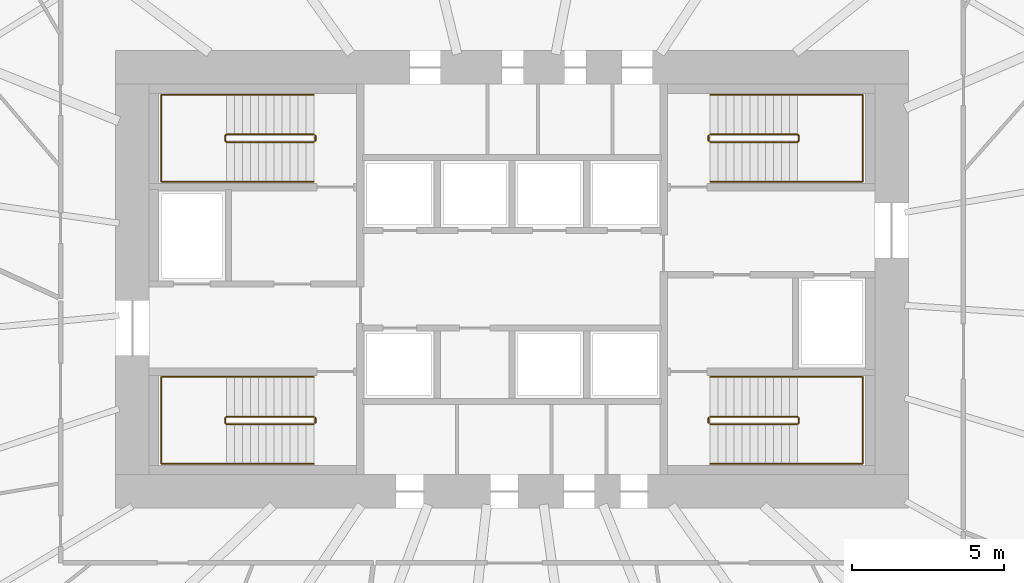
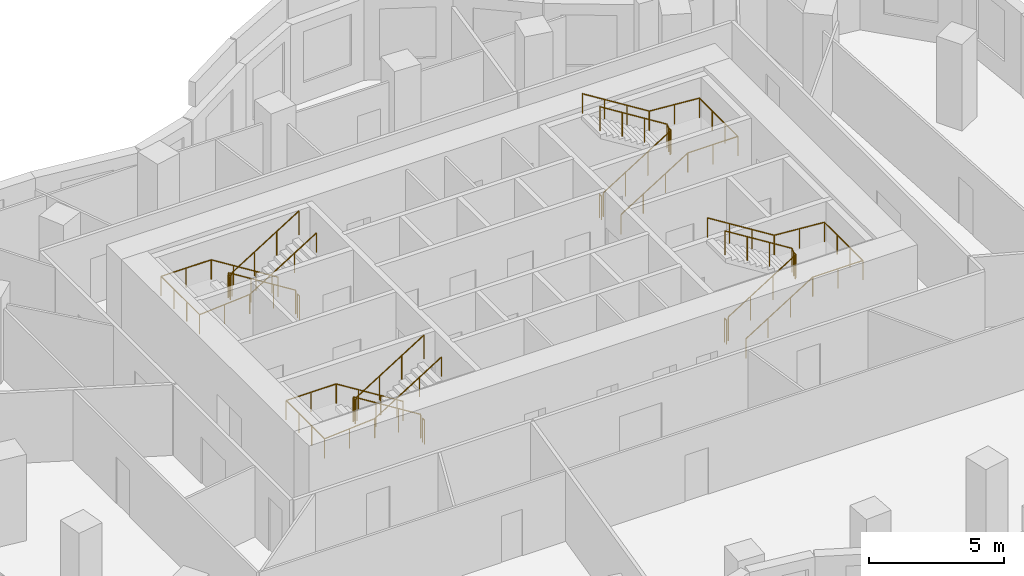
# One storey, part 9 of 9: 12 railings.
"""IFC4 building model written with IfcOpenShell, lengths in metres."""

from ifc_helpers import new_model, si_unit, direction, frame, origin, origin_2d, place, context, subcontext, project, spatial, circle, extrude, material, type_object, element, save


model = new_model("IFC4")

# Units and contexts
model_context = context("Model", 3, precision=1e-05, world=origin(), true_north=direction((0.0, 1.0)))
body_context = subcontext(model_context, "Body", "Model", "MODEL_VIEW")
ifc_project = project(units=[si_unit("LENGTHUNIT", "METRE"), si_unit("AREAUNIT", "SQUARE_METRE"), si_unit("VOLUMEUNIT", "CUBIC_METRE"), si_unit("PLANEANGLEUNIT", "RADIAN"), si_unit("MASSUNIT", "GRAM", prefix="KILO")], contexts=[model_context])

# Site, building, storey
site_placement = place(None, origin())
site = spatial("IfcSite", under=ifc_project, at=site_placement, CompositionType="ELEMENT")
building_placement = place(site_placement, origin())
building = spatial("IfcBuilding", under=site, at=building_placement, Name="Rubra Terraces Tower", CompositionType="ELEMENT")
storey_placement = place(building_placement, frame((0.0, 0.0, 130.5)))
storey = spatial("IfcBuildingStorey", under=building, at=storey_placement, Name="L31", CompositionType="ELEMENT", Elevation=130.5)

# Railings
ifc_material = material(Name="Stainless steel", Category="steel")
railing_type_1 = type_object("IfcRailingType", Name="Core stair guard 1100", PredefinedType="GUARDRAIL", material=ifc_material)
railing_1_placement = place(storey_placement, frame((-6.5, 0.0, 0.16259765625)))
element("IfcRailing", 1, at=railing_1_placement, inside=storey, type_object=railing_type_1, Name="L31 stair S1 guard 1", PredefinedType="GUARDRAIL", context=body_context, shape_type="SweptSolid", body=[
    extrude(circle(Radius=0.02392578125, at=origin_2d()), frame((0.0, 0.0, 1.076171875), z_axis=(-0.848026770018, 0.0, 0.529953391661), x_axis=(0.0, -1.0, 0.0)), (0.0, 0.0, 1.0), 3.37255859375),
    extrude(circle(Radius=0.02392578125, at=origin_2d()), frame((-2.860107421875, 0.0, 2.86328125), z_axis=(-0.705375805398, -0.708833529934, 0.0), x_axis=(0.708833529934, -0.705375805398, 0.0)), (0.0, 0.0, 1.0), 0.070556640625),
    extrude(circle(Radius=0.02392578125, at=origin_2d()), frame((-2.909912109375, -0.050048828125, 2.86328125), z_axis=(0.0, -1.0, 0.0), x_axis=(1.0, 0.0, 0.0)), (0.0, 0.0, 1.0), 0.14990234375),
    extrude(circle(Radius=0.02392578125, at=origin_2d()), frame((-2.909912109375, -0.199951171875, 2.86328125), z_axis=(0.280959487676, -0.282336740067, 0.917250092119), x_axis=(0.708833529934, 0.705375805398, 0.0)), (0.0, 0.0, 1.0), 0.17724609375),
    extrude(circle(Radius=0.02392578125, at=origin_2d()), frame((-2.860107421875, -0.25, 3.02587890625), z_axis=(0.848026770018, 0.0, 0.529953391661), x_axis=(0.0, 1.0, 0.0)), (0.0, 0.0, 1.0), 3.37255859375),
    extrude(circle(Radius=0.02099609375, at=origin_2d()), origin(), (0.0, 0.0, 1.0), 1.052001953125),
    extrude(circle(Radius=0.02099609375, at=origin_2d()), frame((-0.953369140625, 0.0, 0.595703125)), (0.0, 0.0, 1.0), 1.052001953125),
    extrude(circle(Radius=0.02099609375, at=origin_2d()), frame((-1.90673828125, 0.0, 1.191650390625)), (0.0, 0.0, 1.0), 1.052001953125),
    extrude(circle(Radius=0.02099609375, at=origin_2d()), frame((-2.860107421875, 0.0, 1.787353515625)), (0.0, 0.0, 1.0), 1.052001953125),
    extrude(circle(Radius=0.02099609375, at=origin_2d()), frame((-2.909912109375, -0.050048828125, 1.787353515625)), (0.0, 0.0, 1.0), 1.052001953125),
    extrude(circle(Radius=0.02099609375, at=origin_2d()), frame((-2.909912109375, -0.199951171875, 1.787353515625)), (0.0, 0.0, 1.0), 1.052001953125),
    extrude(circle(Radius=0.02099609375, at=origin_2d()), frame((-2.860107421875, -0.25, 1.949951171875)), (0.0, 0.0, 1.0), 1.052001953125),
    extrude(circle(Radius=0.02099609375, at=origin_2d()), frame((-1.90673828125, -0.25, 2.545654296875)), (0.0, 0.0, 1.0), 1.052001953125),
    extrude(circle(Radius=0.02099609375, at=origin_2d()), frame((-0.953369140625, -0.25, 3.1416015625)), (0.0, 0.0, 1.0), 1.052001953125),
    extrude(circle(Radius=0.02099609375, at=origin_2d()), frame((0.0, -0.25, 3.7373046875)), (0.0, 0.0, 1.0), 1.052001953125),
])
railing_2_placement = place(storey_placement, frame((-6.449951171875, -0.050048828125, 0.0)))
element("IfcRailing", 2, at=railing_2_placement, inside=storey, type_object=railing_type_1, Name="L31 stair S1 guard 2", PredefinedType="GUARDRAIL", context=body_context, shape_type="SweptSolid", body=[
    extrude(circle(Radius=0.02392578125, at=origin_2d()), frame((0.0, 0.0, 1.076171875), z_axis=(0.0, -1.0, 0.0), x_axis=(1.0, 0.0, 0.0)), (0.0, 0.0, 1.0), 0.14990234375),
    extrude(circle(Radius=0.02099609375, at=origin_2d()), origin(), (0.0, 0.0, 1.0), 1.052001953125),
    extrude(circle(Radius=0.02099609375, at=origin_2d()), frame((0.0, -0.14990234375, 0.0)), (0.0, 0.0, 1.0), 1.052001953125),
])
railing_3_placement = place(storey_placement, frame((-6.5, 9.25, 0.16259765625)))
element("IfcRailing", 3, at=railing_3_placement, inside=storey, type_object=railing_type_1, Name="L31 stair S2 guard 1", PredefinedType="GUARDRAIL", context=body_context, shape_type="SweptSolid", body=[
    extrude(circle(Radius=0.02392578125, at=origin_2d()), frame((0.0, 0.0, 1.076171875), z_axis=(-0.848026770018, 0.0, 0.529953391661), x_axis=(0.0, -1.0, 0.0)), (0.0, 0.0, 1.0), 3.37255859375),
    extrude(circle(Radius=0.02392578125, at=origin_2d()), frame((-2.860107421875, 0.0, 2.86328125), z_axis=(-0.705375805398, -0.708833529934, 0.0), x_axis=(0.708833529934, -0.705375805398, 0.0)), (0.0, 0.0, 1.0), 0.070556640625),
    extrude(circle(Radius=0.02392578125, at=origin_2d()), frame((-2.909912109375, -0.050048828125, 2.86328125), z_axis=(0.0, -1.0, 0.0), x_axis=(1.0, 0.0, 0.0)), (0.0, 0.0, 1.0), 0.14990234375),
    extrude(circle(Radius=0.02392578125, at=origin_2d()), frame((-2.909912109375, -0.199951171875, 2.86328125), z_axis=(0.280959487676, -0.282336740067, 0.917250092119), x_axis=(0.708833529934, 0.705375805398, 0.0)), (0.0, 0.0, 1.0), 0.17724609375),
    extrude(circle(Radius=0.02392578125, at=origin_2d()), frame((-2.860107421875, -0.25, 3.02587890625), z_axis=(0.848026770018, 0.0, 0.529953391661), x_axis=(0.0, 1.0, 0.0)), (0.0, 0.0, 1.0), 3.37255859375),
    extrude(circle(Radius=0.02099609375, at=origin_2d()), origin(), (0.0, 0.0, 1.0), 1.052001953125),
    extrude(circle(Radius=0.02099609375, at=origin_2d()), frame((-0.953369140625, 0.0, 0.595703125)), (0.0, 0.0, 1.0), 1.052001953125),
    extrude(circle(Radius=0.02099609375, at=origin_2d()), frame((-1.90673828125, 0.0, 1.191650390625)), (0.0, 0.0, 1.0), 1.052001953125),
    extrude(circle(Radius=0.02099609375, at=origin_2d()), frame((-2.860107421875, 0.0, 1.787353515625)), (0.0, 0.0, 1.0), 1.052001953125),
    extrude(circle(Radius=0.02099609375, at=origin_2d()), frame((-2.909912109375, -0.050048828125, 1.787353515625)), (0.0, 0.0, 1.0), 1.052001953125),
    extrude(circle(Radius=0.02099609375, at=origin_2d()), frame((-2.909912109375, -0.199951171875, 1.787353515625)), (0.0, 0.0, 1.0), 1.052001953125),
    extrude(circle(Radius=0.02099609375, at=origin_2d()), frame((-2.860107421875, -0.25, 1.949951171875)), (0.0, 0.0, 1.0), 1.052001953125),
    extrude(circle(Radius=0.02099609375, at=origin_2d()), frame((-1.90673828125, -0.25, 2.545654296875)), (0.0, 0.0, 1.0), 1.052001953125),
    extrude(circle(Radius=0.02099609375, at=origin_2d()), frame((-0.953369140625, -0.25, 3.1416015625)), (0.0, 0.0, 1.0), 1.052001953125),
    extrude(circle(Radius=0.02099609375, at=origin_2d()), frame((0.0, -0.25, 3.7373046875)), (0.0, 0.0, 1.0), 1.052001953125),
])
railing_4_placement = place(storey_placement, frame((-6.449951171875, 9.199951171875, 0.0)))
element("IfcRailing", 4, at=railing_4_placement, inside=storey, type_object=railing_type_1, Name="L31 stair S2 guard 2", PredefinedType="GUARDRAIL", context=body_context, shape_type="SweptSolid", body=[
    extrude(circle(Radius=0.02392578125, at=origin_2d()), frame((0.0, 0.0, 1.076171875), z_axis=(0.0, -1.0, 0.0), x_axis=(1.0, 0.0, 0.0)), (0.0, 0.0, 1.0), 0.14990234375),
    extrude(circle(Radius=0.02099609375, at=origin_2d()), origin(), (0.0, 0.0, 1.0), 1.052001953125),
    extrude(circle(Radius=0.02099609375, at=origin_2d()), frame((0.0, -0.14990234375, 0.0)), (0.0, 0.0, 1.0), 1.052001953125),
])
railing_5_placement = place(storey_placement, frame((6.5, 9.0, 0.16259765625)))
element("IfcRailing", 5, at=railing_5_placement, inside=storey, type_object=railing_type_1, Name="L31 stair S3 guard 1", PredefinedType="GUARDRAIL", context=body_context, shape_type="SweptSolid", body=[
    extrude(circle(Radius=0.02392578125, at=origin_2d()), frame((0.0, 0.0, 1.076171875), z_axis=(0.848026770018, 0.0, 0.529953391661), x_axis=(0.0, 1.0, 0.0)), (0.0, 0.0, 1.0), 3.37255859375),
    extrude(circle(Radius=0.02392578125, at=origin_2d()), frame((2.860107421875, 0.0, 2.86328125), z_axis=(0.705375805398, 0.708833529934, 0.0), x_axis=(-0.708833529934, 0.705375805398, 0.0)), (0.0, 0.0, 1.0), 0.070556640625),
    extrude(circle(Radius=0.02392578125, at=origin_2d()), frame((2.909912109375, 0.050048828125, 2.86328125), z_axis=(0.0, 1.0, 0.0), x_axis=(-1.0, 0.0, 0.0)), (0.0, 0.0, 1.0), 0.14990234375),
    extrude(circle(Radius=0.02392578125, at=origin_2d()), frame((2.909912109375, 0.199951171875, 2.86328125), z_axis=(-0.280959487676, 0.282336740067, 0.917250092119), x_axis=(-0.708833529934, -0.705375805398, 0.0)), (0.0, 0.0, 1.0), 0.17724609375),
    extrude(circle(Radius=0.02392578125, at=origin_2d()), frame((2.860107421875, 0.25, 3.02587890625), z_axis=(-0.848026770018, 0.0, 0.529953391661), x_axis=(0.0, -1.0, 0.0)), (0.0, 0.0, 1.0), 3.37255859375),
    extrude(circle(Radius=0.02099609375, at=origin_2d()), origin(), (0.0, 0.0, 1.0), 1.052001953125),
    extrude(circle(Radius=0.02099609375, at=origin_2d()), frame((0.953369140625, 0.0, 0.595703125)), (0.0, 0.0, 1.0), 1.052001953125),
    extrude(circle(Radius=0.02099609375, at=origin_2d()), frame((1.90673828125, 0.0, 1.191650390625)), (0.0, 0.0, 1.0), 1.052001953125),
    extrude(circle(Radius=0.02099609375, at=origin_2d()), frame((2.860107421875, 0.0, 1.787353515625)), (0.0, 0.0, 1.0), 1.052001953125),
    extrude(circle(Radius=0.02099609375, at=origin_2d()), frame((2.909912109375, 0.050048828125, 1.787353515625)), (0.0, 0.0, 1.0), 1.052001953125),
    extrude(circle(Radius=0.02099609375, at=origin_2d()), frame((2.909912109375, 0.199951171875, 1.787353515625)), (0.0, 0.0, 1.0), 1.052001953125),
    extrude(circle(Radius=0.02099609375, at=origin_2d()), frame((2.860107421875, 0.25, 1.949951171875)), (0.0, 0.0, 1.0), 1.052001953125),
    extrude(circle(Radius=0.02099609375, at=origin_2d()), frame((1.90673828125, 0.25, 2.545654296875)), (0.0, 0.0, 1.0), 1.052001953125),
    extrude(circle(Radius=0.02099609375, at=origin_2d()), frame((0.953369140625, 0.25, 3.1416015625)), (0.0, 0.0, 1.0), 1.052001953125),
    extrude(circle(Radius=0.02099609375, at=origin_2d()), frame((0.0, 0.25, 3.7373046875)), (0.0, 0.0, 1.0), 1.052001953125),
])
railing_6_placement = place(storey_placement, frame((6.449951171875, 9.050048828125, 0.0)))
element("IfcRailing", 6, at=railing_6_placement, inside=storey, type_object=railing_type_1, Name="L31 stair S3 guard 2", PredefinedType="GUARDRAIL", context=body_context, shape_type="SweptSolid", body=[
    extrude(circle(Radius=0.02392578125, at=origin_2d()), frame((0.0, 0.0, 1.076171875), z_axis=(0.0, 1.0, 0.0), x_axis=(-1.0, 0.0, 0.0)), (0.0, 0.0, 1.0), 0.14990234375),
    extrude(circle(Radius=0.02099609375, at=origin_2d()), origin(), (0.0, 0.0, 1.0), 1.052001953125),
    extrude(circle(Radius=0.02099609375, at=origin_2d()), frame((0.0, 0.14990234375, 0.0)), (0.0, 0.0, 1.0), 1.052001953125),
])
railing_7_placement = place(storey_placement, frame((6.5, -0.25, 0.16259765625)))
element("IfcRailing", 7, at=railing_7_placement, inside=storey, type_object=railing_type_1, Name="L31 stair S4 guard 1", PredefinedType="GUARDRAIL", context=body_context, shape_type="SweptSolid", body=[
    extrude(circle(Radius=0.02392578125, at=origin_2d()), frame((0.0, 0.0, 1.076171875), z_axis=(0.848026770018, 0.0, 0.529953391661), x_axis=(0.0, 1.0, 0.0)), (0.0, 0.0, 1.0), 3.37255859375),
    extrude(circle(Radius=0.02392578125, at=origin_2d()), frame((2.860107421875, 0.0, 2.86328125), z_axis=(0.705375805398, 0.708833529934, 0.0), x_axis=(-0.708833529934, 0.705375805398, 0.0)), (0.0, 0.0, 1.0), 0.070556640625),
    extrude(circle(Radius=0.02392578125, at=origin_2d()), frame((2.909912109375, 0.050048828125, 2.86328125), z_axis=(0.0, 1.0, 0.0), x_axis=(-1.0, 0.0, 0.0)), (0.0, 0.0, 1.0), 0.14990234375),
    extrude(circle(Radius=0.02392578125, at=origin_2d()), frame((2.909912109375, 0.199951171875, 2.86328125), z_axis=(-0.280959487676, 0.282336740067, 0.917250092119), x_axis=(-0.708833529934, -0.705375805398, 0.0)), (0.0, 0.0, 1.0), 0.17724609375),
    extrude(circle(Radius=0.02392578125, at=origin_2d()), frame((2.860107421875, 0.25, 3.02587890625), z_axis=(-0.848026770018, 0.0, 0.529953391661), x_axis=(0.0, -1.0, 0.0)), (0.0, 0.0, 1.0), 3.37255859375),
    extrude(circle(Radius=0.02099609375, at=origin_2d()), origin(), (0.0, 0.0, 1.0), 1.052001953125),
    extrude(circle(Radius=0.02099609375, at=origin_2d()), frame((0.953369140625, 0.0, 0.595703125)), (0.0, 0.0, 1.0), 1.052001953125),
    extrude(circle(Radius=0.02099609375, at=origin_2d()), frame((1.90673828125, 0.0, 1.191650390625)), (0.0, 0.0, 1.0), 1.052001953125),
    extrude(circle(Radius=0.02099609375, at=origin_2d()), frame((2.860107421875, 0.0, 1.787353515625)), (0.0, 0.0, 1.0), 1.052001953125),
    extrude(circle(Radius=0.02099609375, at=origin_2d()), frame((2.909912109375, 0.050048828125, 1.787353515625)), (0.0, 0.0, 1.0), 1.052001953125),
    extrude(circle(Radius=0.02099609375, at=origin_2d()), frame((2.909912109375, 0.199951171875, 1.787353515625)), (0.0, 0.0, 1.0), 1.052001953125),
    extrude(circle(Radius=0.02099609375, at=origin_2d()), frame((2.860107421875, 0.25, 1.949951171875)), (0.0, 0.0, 1.0), 1.052001953125),
    extrude(circle(Radius=0.02099609375, at=origin_2d()), frame((1.90673828125, 0.25, 2.545654296875)), (0.0, 0.0, 1.0), 1.052001953125),
    extrude(circle(Radius=0.02099609375, at=origin_2d()), frame((0.953369140625, 0.25, 3.1416015625)), (0.0, 0.0, 1.0), 1.052001953125),
    extrude(circle(Radius=0.02099609375, at=origin_2d()), frame((0.0, 0.25, 3.7373046875)), (0.0, 0.0, 1.0), 1.052001953125),
])
railing_8_placement = place(storey_placement, frame((6.449951171875, -0.199951171875, 0.0)))
element("IfcRailing", 8, at=railing_8_placement, inside=storey, type_object=railing_type_1, Name="L31 stair S4 guard 2", PredefinedType="GUARDRAIL", context=body_context, shape_type="SweptSolid", body=[
    extrude(circle(Radius=0.02392578125, at=origin_2d()), frame((0.0, 0.0, 1.076171875), z_axis=(0.0, 1.0, 0.0), x_axis=(-1.0, 0.0, 0.0)), (0.0, 0.0, 1.0), 0.14990234375),
    extrude(circle(Radius=0.02099609375, at=origin_2d()), origin(), (0.0, 0.0, 1.0), 1.052001953125),
    extrude(circle(Radius=0.02099609375, at=origin_2d()), frame((0.0, 0.14990234375, 0.0)), (0.0, 0.0, 1.0), 1.052001953125),
])
railing_type_2 = type_object("IfcRailingType", Name="Core stair handrail 900", PredefinedType="HANDRAIL", material=ifc_material)
railing_9_placement = place(storey_placement, frame((-6.5, 1.300048828125, 0.16259765625)))
element("IfcRailing", 9, at=railing_9_placement, inside=storey, type_object=railing_type_2, Name="L31 stair S1 handrail 1", PredefinedType="HANDRAIL", context=body_context, shape_type="SweptSolid", body=[
    extrude(circle(Radius=0.02392578125, at=origin_2d()), frame((0.0, 0.0, 0.8759765625), z_axis=(-0.848026770018, 0.0, 0.529953391661), x_axis=(0.0, -1.0, 0.0)), (0.0, 0.0, 1.0), 3.37255859375),
    extrude(circle(Radius=0.02392578125, at=origin_2d()), frame((-2.860107421875, 0.0, 2.6630859375), z_axis=(-1.0, 0.0, 0.0), x_axis=(0.0, -1.0, 0.0)), (0.0, 0.0, 1.0), 2.139892578125),
    extrude(circle(Radius=0.02392578125, at=origin_2d()), frame((-5.0, 0.0, 2.6630859375), z_axis=(0.0, -1.0, 0.0), x_axis=(1.0, 0.0, 0.0)), (0.0, 0.0, 1.0), 2.85009765625),
    extrude(circle(Radius=0.02392578125, at=origin_2d()), frame((-5.0, -2.85009765625, 2.6630859375), z_axis=(0.997125654253, 0.0, 0.075765623016), x_axis=(0.0, 1.0, 0.0)), (0.0, 0.0, 1.0), 2.14599609375),
    extrude(circle(Radius=0.02392578125, at=origin_2d()), frame((-2.860107421875, -2.85009765625, 2.82568359375), z_axis=(0.848026770018, 0.0, 0.529953391661), x_axis=(0.0, 1.0, 0.0)), (0.0, 0.0, 1.0), 3.37255859375),
    extrude(circle(Radius=0.02099609375, at=origin_2d()), origin(), (0.0, 0.0, 1.0), 0.851806640625),
    extrude(circle(Radius=0.02099609375, at=origin_2d()), frame((-0.953369140625, 0.0, 0.595703125)), (0.0, 0.0, 1.0), 0.851806640625),
    extrude(circle(Radius=0.02099609375, at=origin_2d()), frame((-1.90673828125, 0.0, 1.191650390625)), (0.0, 0.0, 1.0), 0.851806640625),
    extrude(circle(Radius=0.02099609375, at=origin_2d()), frame((-2.860107421875, 0.0, 1.787353515625)), (0.0, 0.0, 1.0), 0.851806640625),
    extrude(circle(Radius=0.02099609375, at=origin_2d()), frame((-3.93017578125, 0.0, 1.787353515625)), (0.0, 0.0, 1.0), 0.851806640625),
    extrude(circle(Radius=0.02099609375, at=origin_2d()), frame((-5.0, 0.0, 1.787353515625)), (0.0, 0.0, 1.0), 0.851806640625),
    extrude(circle(Radius=0.02099609375, at=origin_2d()), frame((-5.0, -0.949951171875, 1.787353515625)), (0.0, 0.0, 1.0), 0.851806640625),
    extrude(circle(Radius=0.02099609375, at=origin_2d()), frame((-5.0, -1.900146484375, 1.787353515625)), (0.0, 0.0, 1.0), 0.851806640625),
    extrude(circle(Radius=0.02099609375, at=origin_2d()), frame((-5.0, -2.85009765625, 1.787353515625)), (0.0, 0.0, 1.0), 0.851806640625),
    extrude(circle(Radius=0.02099609375, at=origin_2d()), frame((-3.93017578125, -2.85009765625, 1.86865234375)), (0.0, 0.0, 1.0), 0.851806640625),
    extrude(circle(Radius=0.02099609375, at=origin_2d()), frame((-2.860107421875, -2.85009765625, 1.949951171875)), (0.0, 0.0, 1.0), 0.851806640625),
    extrude(circle(Radius=0.02099609375, at=origin_2d()), frame((-1.90673828125, -2.85009765625, 2.545654296875)), (0.0, 0.0, 1.0), 0.851806640625),
    extrude(circle(Radius=0.02099609375, at=origin_2d()), frame((-0.953369140625, -2.85009765625, 3.1416015625)), (0.0, 0.0, 1.0), 0.851806640625),
    extrude(circle(Radius=0.02099609375, at=origin_2d()), frame((0.0, -2.85009765625, 3.7373046875)), (0.0, 0.0, 1.0), 0.851806640625),
])
railing_10_placement = place(storey_placement, frame((-6.5, 10.550048828125, 0.16259765625)))
element("IfcRailing", 10, at=railing_10_placement, inside=storey, type_object=railing_type_2, Name="L31 stair S2 handrail 1", PredefinedType="HANDRAIL", context=body_context, shape_type="SweptSolid", body=[
    extrude(circle(Radius=0.02392578125, at=origin_2d()), frame((0.0, 0.0, 0.8759765625), z_axis=(-0.848026770018, 0.0, 0.529953391661), x_axis=(0.0, -1.0, 0.0)), (0.0, 0.0, 1.0), 3.37255859375),
    extrude(circle(Radius=0.02392578125, at=origin_2d()), frame((-2.860107421875, 0.0, 2.6630859375), z_axis=(-1.0, 0.0, 0.0), x_axis=(0.0, -1.0, 0.0)), (0.0, 0.0, 1.0), 2.139892578125),
    extrude(circle(Radius=0.02392578125, at=origin_2d()), frame((-5.0, 0.0, 2.6630859375), z_axis=(0.0, -1.0, 0.0), x_axis=(1.0, 0.0, 0.0)), (0.0, 0.0, 1.0), 2.85009765625),
    extrude(circle(Radius=0.02392578125, at=origin_2d()), frame((-5.0, -2.85009765625, 2.6630859375), z_axis=(0.997125654253, 0.0, 0.075765623016), x_axis=(0.0, 1.0, 0.0)), (0.0, 0.0, 1.0), 2.14599609375),
    extrude(circle(Radius=0.02392578125, at=origin_2d()), frame((-2.860107421875, -2.85009765625, 2.82568359375), z_axis=(0.848026770018, 0.0, 0.529953391661), x_axis=(0.0, 1.0, 0.0)), (0.0, 0.0, 1.0), 3.37255859375),
    extrude(circle(Radius=0.02099609375, at=origin_2d()), origin(), (0.0, 0.0, 1.0), 0.851806640625),
    extrude(circle(Radius=0.02099609375, at=origin_2d()), frame((-0.953369140625, 0.0, 0.595703125)), (0.0, 0.0, 1.0), 0.851806640625),
    extrude(circle(Radius=0.02099609375, at=origin_2d()), frame((-1.90673828125, 0.0, 1.191650390625)), (0.0, 0.0, 1.0), 0.851806640625),
    extrude(circle(Radius=0.02099609375, at=origin_2d()), frame((-2.860107421875, 0.0, 1.787353515625)), (0.0, 0.0, 1.0), 0.851806640625),
    extrude(circle(Radius=0.02099609375, at=origin_2d()), frame((-3.93017578125, 0.0, 1.787353515625)), (0.0, 0.0, 1.0), 0.851806640625),
    extrude(circle(Radius=0.02099609375, at=origin_2d()), frame((-5.0, 0.0, 1.787353515625)), (0.0, 0.0, 1.0), 0.851806640625),
    extrude(circle(Radius=0.02099609375, at=origin_2d()), frame((-5.0, -0.949951171875, 1.787353515625)), (0.0, 0.0, 1.0), 0.851806640625),
    extrude(circle(Radius=0.02099609375, at=origin_2d()), frame((-5.0, -1.900146484375, 1.787353515625)), (0.0, 0.0, 1.0), 0.851806640625),
    extrude(circle(Radius=0.02099609375, at=origin_2d()), frame((-5.0, -2.85009765625, 1.787353515625)), (0.0, 0.0, 1.0), 0.851806640625),
    extrude(circle(Radius=0.02099609375, at=origin_2d()), frame((-3.93017578125, -2.85009765625, 1.86865234375)), (0.0, 0.0, 1.0), 0.851806640625),
    extrude(circle(Radius=0.02099609375, at=origin_2d()), frame((-2.860107421875, -2.85009765625, 1.949951171875)), (0.0, 0.0, 1.0), 0.851806640625),
    extrude(circle(Radius=0.02099609375, at=origin_2d()), frame((-1.90673828125, -2.85009765625, 2.545654296875)), (0.0, 0.0, 1.0), 0.851806640625),
    extrude(circle(Radius=0.02099609375, at=origin_2d()), frame((-0.953369140625, -2.85009765625, 3.1416015625)), (0.0, 0.0, 1.0), 0.851806640625),
    extrude(circle(Radius=0.02099609375, at=origin_2d()), frame((0.0, -2.85009765625, 3.7373046875)), (0.0, 0.0, 1.0), 0.851806640625),
])
railing_11_placement = place(storey_placement, frame((6.5, 7.699951171875, 0.16259765625)))
element("IfcRailing", 11, at=railing_11_placement, inside=storey, type_object=railing_type_2, Name="L31 stair S3 handrail 1", PredefinedType="HANDRAIL", context=body_context, shape_type="SweptSolid", body=[
    extrude(circle(Radius=0.02392578125, at=origin_2d()), frame((0.0, 0.0, 0.8759765625), z_axis=(0.848026770018, 0.0, 0.529953391661), x_axis=(0.0, 1.0, 0.0)), (0.0, 0.0, 1.0), 3.37255859375),
    extrude(circle(Radius=0.02392578125, at=origin_2d()), frame((2.860107421875, 0.0, 2.6630859375), z_axis=(1.0, 0.0, 0.0), x_axis=(0.0, 1.0, 0.0)), (0.0, 0.0, 1.0), 2.139892578125),
    extrude(circle(Radius=0.02392578125, at=origin_2d()), frame((5.0, 0.0, 2.6630859375), z_axis=(0.0, 1.0, 0.0), x_axis=(-1.0, 0.0, 0.0)), (0.0, 0.0, 1.0), 2.85009765625),
    extrude(circle(Radius=0.02392578125, at=origin_2d()), frame((5.0, 2.85009765625, 2.6630859375), z_axis=(-0.997125654253, 0.0, 0.075765623016), x_axis=(0.0, -1.0, 0.0)), (0.0, 0.0, 1.0), 2.14599609375),
    extrude(circle(Radius=0.02392578125, at=origin_2d()), frame((2.860107421875, 2.85009765625, 2.82568359375), z_axis=(-0.848026770018, 0.0, 0.529953391661), x_axis=(0.0, -1.0, 0.0)), (0.0, 0.0, 1.0), 3.37255859375),
    extrude(circle(Radius=0.02099609375, at=origin_2d()), origin(), (0.0, 0.0, 1.0), 0.851806640625),
    extrude(circle(Radius=0.02099609375, at=origin_2d()), frame((0.953369140625, 0.0, 0.595703125)), (0.0, 0.0, 1.0), 0.851806640625),
    extrude(circle(Radius=0.02099609375, at=origin_2d()), frame((1.90673828125, 0.0, 1.191650390625)), (0.0, 0.0, 1.0), 0.851806640625),
    extrude(circle(Radius=0.02099609375, at=origin_2d()), frame((2.860107421875, 0.0, 1.787353515625)), (0.0, 0.0, 1.0), 0.851806640625),
    extrude(circle(Radius=0.02099609375, at=origin_2d()), frame((3.93017578125, 0.0, 1.787353515625)), (0.0, 0.0, 1.0), 0.851806640625),
    extrude(circle(Radius=0.02099609375, at=origin_2d()), frame((5.0, 0.0, 1.787353515625)), (0.0, 0.0, 1.0), 0.851806640625),
    extrude(circle(Radius=0.02099609375, at=origin_2d()), frame((5.0, 0.949951171875, 1.787353515625)), (0.0, 0.0, 1.0), 0.851806640625),
    extrude(circle(Radius=0.02099609375, at=origin_2d()), frame((5.0, 1.900146484375, 1.787353515625)), (0.0, 0.0, 1.0), 0.851806640625),
    extrude(circle(Radius=0.02099609375, at=origin_2d()), frame((5.0, 2.85009765625, 1.787353515625)), (0.0, 0.0, 1.0), 0.851806640625),
    extrude(circle(Radius=0.02099609375, at=origin_2d()), frame((3.93017578125, 2.85009765625, 1.86865234375)), (0.0, 0.0, 1.0), 0.851806640625),
    extrude(circle(Radius=0.02099609375, at=origin_2d()), frame((2.860107421875, 2.85009765625, 1.949951171875)), (0.0, 0.0, 1.0), 0.851806640625),
    extrude(circle(Radius=0.02099609375, at=origin_2d()), frame((1.90673828125, 2.85009765625, 2.545654296875)), (0.0, 0.0, 1.0), 0.851806640625),
    extrude(circle(Radius=0.02099609375, at=origin_2d()), frame((0.953369140625, 2.85009765625, 3.1416015625)), (0.0, 0.0, 1.0), 0.851806640625),
    extrude(circle(Radius=0.02099609375, at=origin_2d()), frame((0.0, 2.85009765625, 3.7373046875)), (0.0, 0.0, 1.0), 0.851806640625),
])
railing_12_placement = place(storey_placement, frame((6.5, -1.550048828125, 0.16259765625)))
element("IfcRailing", 12, at=railing_12_placement, inside=storey, type_object=railing_type_2, Name="L31 stair S4 handrail 1", PredefinedType="HANDRAIL", context=body_context, shape_type="SweptSolid", body=[
    extrude(circle(Radius=0.02392578125, at=origin_2d()), frame((0.0, 0.0, 0.8759765625), z_axis=(0.848026770018, 0.0, 0.529953391661), x_axis=(0.0, 1.0, 0.0)), (0.0, 0.0, 1.0), 3.37255859375),
    extrude(circle(Radius=0.02392578125, at=origin_2d()), frame((2.860107421875, 0.0, 2.6630859375), z_axis=(1.0, 0.0, 0.0), x_axis=(0.0, 1.0, 0.0)), (0.0, 0.0, 1.0), 2.139892578125),
    extrude(circle(Radius=0.02392578125, at=origin_2d()), frame((5.0, 0.0, 2.6630859375), z_axis=(0.0, 1.0, 0.0), x_axis=(-1.0, 0.0, 0.0)), (0.0, 0.0, 1.0), 2.85009765625),
    extrude(circle(Radius=0.02392578125, at=origin_2d()), frame((5.0, 2.85009765625, 2.6630859375), z_axis=(-0.997125654253, 0.0, 0.075765623016), x_axis=(0.0, -1.0, 0.0)), (0.0, 0.0, 1.0), 2.14599609375),
    extrude(circle(Radius=0.02392578125, at=origin_2d()), frame((2.860107421875, 2.85009765625, 2.82568359375), z_axis=(-0.848026770018, 0.0, 0.529953391661), x_axis=(0.0, -1.0, 0.0)), (0.0, 0.0, 1.0), 3.37255859375),
    extrude(circle(Radius=0.02099609375, at=origin_2d()), origin(), (0.0, 0.0, 1.0), 0.851806640625),
    extrude(circle(Radius=0.02099609375, at=origin_2d()), frame((0.953369140625, 0.0, 0.595703125)), (0.0, 0.0, 1.0), 0.851806640625),
    extrude(circle(Radius=0.02099609375, at=origin_2d()), frame((1.90673828125, 0.0, 1.191650390625)), (0.0, 0.0, 1.0), 0.851806640625),
    extrude(circle(Radius=0.02099609375, at=origin_2d()), frame((2.860107421875, 0.0, 1.787353515625)), (0.0, 0.0, 1.0), 0.851806640625),
    extrude(circle(Radius=0.02099609375, at=origin_2d()), frame((3.93017578125, 0.0, 1.787353515625)), (0.0, 0.0, 1.0), 0.851806640625),
    extrude(circle(Radius=0.02099609375, at=origin_2d()), frame((5.0, 0.0, 1.787353515625)), (0.0, 0.0, 1.0), 0.851806640625),
    extrude(circle(Radius=0.02099609375, at=origin_2d()), frame((5.0, 0.949951171875, 1.787353515625)), (0.0, 0.0, 1.0), 0.851806640625),
    extrude(circle(Radius=0.02099609375, at=origin_2d()), frame((5.0, 1.900146484375, 1.787353515625)), (0.0, 0.0, 1.0), 0.851806640625),
    extrude(circle(Radius=0.02099609375, at=origin_2d()), frame((5.0, 2.85009765625, 1.787353515625)), (0.0, 0.0, 1.0), 0.851806640625),
    extrude(circle(Radius=0.02099609375, at=origin_2d()), frame((3.93017578125, 2.85009765625, 1.86865234375)), (0.0, 0.0, 1.0), 0.851806640625),
    extrude(circle(Radius=0.02099609375, at=origin_2d()), frame((2.860107421875, 2.85009765625, 1.949951171875)), (0.0, 0.0, 1.0), 0.851806640625),
    extrude(circle(Radius=0.02099609375, at=origin_2d()), frame((1.90673828125, 2.85009765625, 2.545654296875)), (0.0, 0.0, 1.0), 0.851806640625),
    extrude(circle(Radius=0.02099609375, at=origin_2d()), frame((0.953369140625, 2.85009765625, 3.1416015625)), (0.0, 0.0, 1.0), 0.851806640625),
    extrude(circle(Radius=0.02099609375, at=origin_2d()), frame((0.0, 2.85009765625, 3.7373046875)), (0.0, 0.0, 1.0), 0.851806640625),
])

save(model, "model.ifc")
